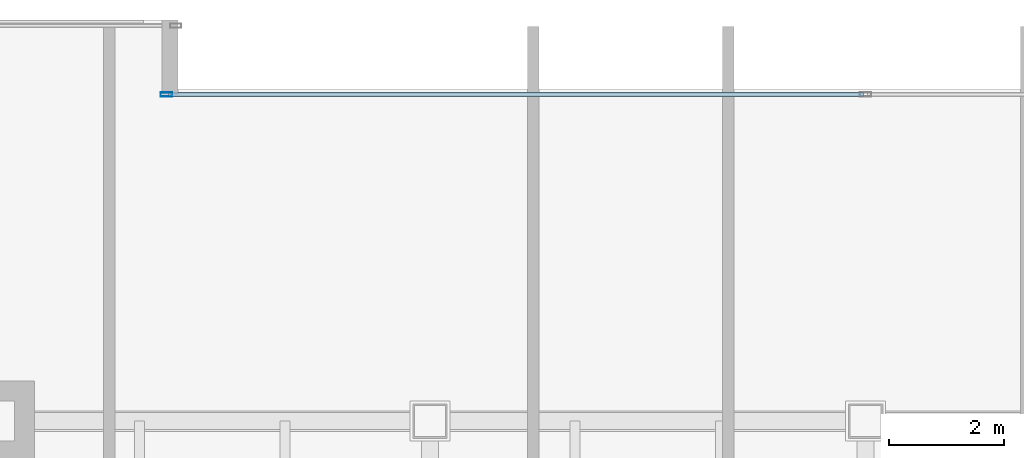
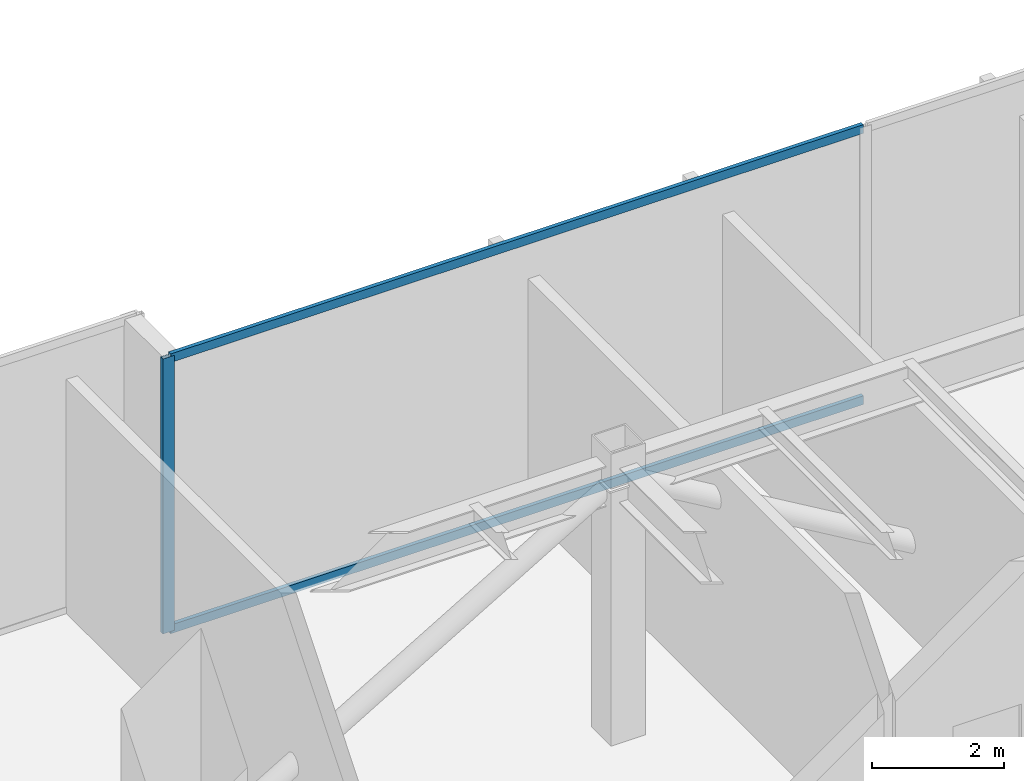
# One storey, part 14 of 38: 3 members, 1 element without a shape of its own.
"""IFC4 building model written with IfcOpenShell, lengths in metres."""

from ifc_helpers import new_model, si_unit, direction, frame, origin, origin_2d, place, context, subcontext, project, spatial, hollow_rectangle, extrude, source, transform, mapped, material, layer, layer_set, material_profile, profile_set, type_object, type_shapes, element, aggregate, save


model = new_model("IFC4")

# Units and contexts
model_context = context("Model", 3, precision=1e-05, world=origin(), true_north=direction((0.0, 1.0)))
body_context = subcontext(model_context, "Body", "Model", "MODEL_VIEW")
ifc_project = project(units=[si_unit("LENGTHUNIT", "METRE"), si_unit("AREAUNIT", "SQUARE_METRE"), si_unit("VOLUMEUNIT", "CUBIC_METRE"), si_unit("PLANEANGLEUNIT", "RADIAN"), si_unit("MASSUNIT", "GRAM", prefix="KILO")], contexts=[model_context])

# Site, building, storey
site_placement = place(None, origin())
site = spatial("IfcSite", under=ifc_project, at=site_placement, CompositionType="ELEMENT")
building_placement = place(site_placement, origin())
building = spatial("IfcBuilding", under=site, at=building_placement, Name="Haelvirn Gate Laboratories", CompositionType="ELEMENT")
storey_placement = place(building_placement, frame((0.0, 0.0, 94.89990234375)))
storey = spatial("IfcBuildingStorey", under=building, at=storey_placement, Name="L23", CompositionType="ELEMENT", Elevation=94.89990234375)

# Curtain wall, members
ifc_material_1 = material(Name="Anodised bronze unitised aluminium & triple low-E glass", Category="aluminium")
ifc_layer = layer(ifc_material_1, 0.18408203125, Name="CW-SYS-2")
ifc_layer_set = layer_set([ifc_layer], Name="Anodised bronze unitised aluminium & triple low-E glass")
curtain_wall_type = type_object("IfcCurtainWallType", Name="CW-SYS-2", PredefinedType="NOTDEFINED", material=ifc_layer_set)
curtain_wall_placement = place(storey_placement, origin())
curtain_wall = element("IfcCurtainWall", 1, at=curtain_wall_placement, inside=storey, type_object=curtain_wall_type, Name="L23 Unitised Curtain Wall CW-L23-P0-E12-1", PredefinedType="NOTDEFINED")
ifc_material_2 = material(Name="Extruded aluminium 6063-T6 (anodised bronze)", Category="aluminium")
ifc_material_profile_1 = material_profile(ifc_material_2, hollow_rectangle(XDim=0.070068359375, YDim=0.159912109375, WallThickness=0.0048828125, at=origin_2d()), Name="CWT-160x70x5")
ifc_profile_set_1 = profile_set([ifc_material_profile_1], Name="Extruded aluminium 6063-T6 (anodised bronze)")
member_type_1 = type_object("IfcMemberType", Name="CWT-T160", PredefinedType="USERDEFINED", material=ifc_profile_set_1)
shared_shape_1 = source(origin(), body_context, "Body", "SweptSolid", [
    extrude(hollow_rectangle(XDim=0.070068359375, YDim=0.159912109375, WallThickness=0.0048828125, at=origin_2d()), origin(), (0.0, 0.0, 1.0), 12.12744140625),
])
type_shapes(member_type_1, [shared_shape_1])
member_1_placement = place(storey_placement, frame((25.235107421875, 47.300048828125, 0.03515625), z_axis=(1.0, 0.0, 0.0), x_axis=(0.0, 1.0, 0.0)))
member_1 = element("IfcMember", 2, at=member_1_placement, type_object=member_type_1, Name="CW2 transom 1.1", ObjectType="TRANSOM", PredefinedType="USERDEFINED", context=body_context, shape_type="MappedRepresentation", body=[
    mapped(shared_shape_1, transform((0.0, 0.0, 0.0), scale=1.0)),
])
member_2_placement = place(storey_placement, frame((25.235107421875, 47.300048828125, 5.05517578125), z_axis=(1.0, 0.0, 0.0), x_axis=(0.0, 1.0, 0.0)))
member_2 = element("IfcMember", 3, at=member_2_placement, type_object=member_type_1, Name="CW2 transom 1.2", ObjectType="TRANSOM", PredefinedType="USERDEFINED", context=body_context, shape_type="MappedRepresentation", body=[
    mapped(shared_shape_1, transform((0.0, 0.0, 0.0), scale=1.0)),
])
ifc_material_profile_2 = material_profile(ifc_material_2, hollow_rectangle(XDim=0.074951171875, YDim=0.199951171875, WallThickness=0.0048828125, at=origin_2d()), Name="CWM-200x75x5")
ifc_profile_set_2 = profile_set([ifc_material_profile_2], Name="Extruded aluminium 6063-T6 (anodised bronze)")
member_type_2 = type_object("IfcMemberType", Name="CWM-T200", PredefinedType="MULLION", material=ifc_profile_set_2)
shared_shape_2 = source(origin(), body_context, "Body", "SweptSolid", [
    extrude(hollow_rectangle(XDim=0.074951171875, YDim=0.199951171875, WallThickness=0.0048828125, at=origin_2d()), origin(), (0.0, 0.0, 1.0), 5.090087890625),
])
type_shapes(member_type_2, [shared_shape_2])
member_3_placement = place(storey_placement, frame((25.197509765625, 47.300048828125, 0.0), z_axis=(0.0, 0.0, 1.0), x_axis=(0.0, 1.0, 0.0)))
member_3 = element("IfcMember", 4, at=member_3_placement, type_object=member_type_2, Name="CW2 mullion 1", PredefinedType="MULLION", context=body_context, shape_type="MappedRepresentation", body=[
    mapped(shared_shape_2, transform((0.0, 0.0, 0.0), scale=1.0)),
])
aggregate(curtain_wall, [member_3, member_1, member_2])

save(model, "model.ifc")
